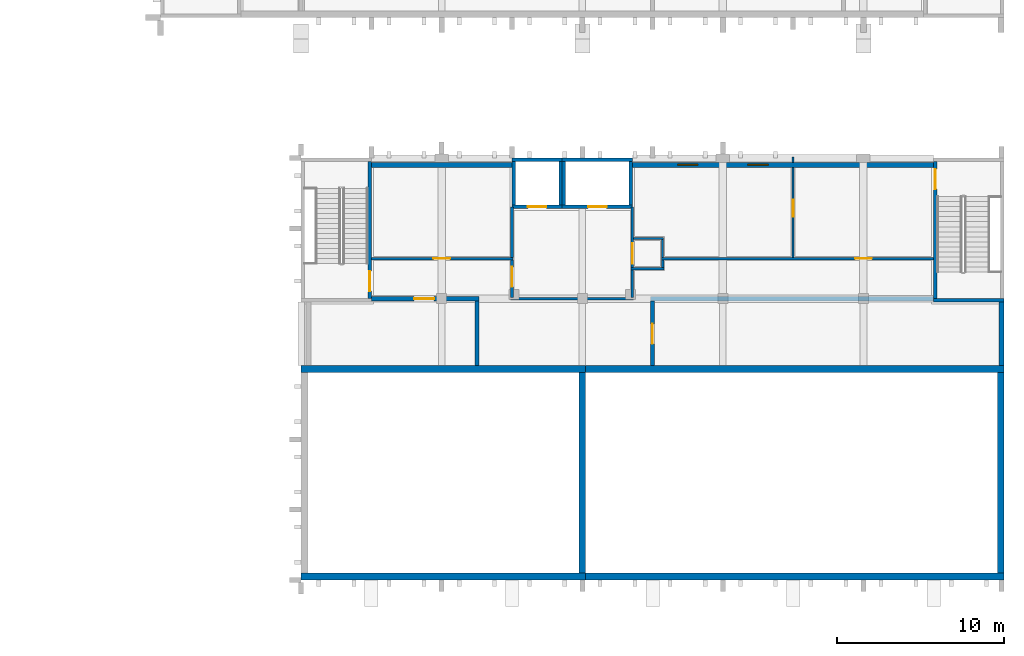
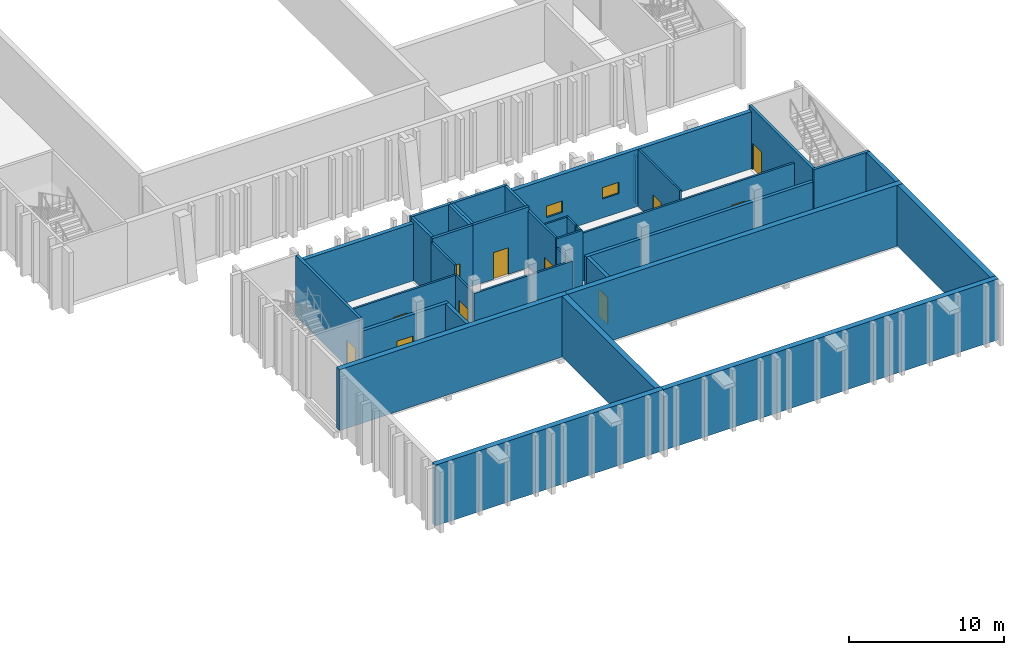
# One storey, part 39 of 91: 37 walls, 11 doors, 2 windows, 13 openings.
"""IFC4 building model written with IfcOpenShell, lengths in metres."""

from ifc_helpers import new_model, si_unit, direction, frame, frame_2d, origin, place, context, subcontext, project, spatial, rectangle, extrude, material, layer, layer_set, type_object, element, fill, save


model = new_model("IFC4")

# Units and contexts
model_context = context("Model", 3, precision=1e-05, world=origin(), true_north=direction((0.0, 1.0)))
body_context = subcontext(model_context, "Body", "Model", "MODEL_VIEW")
ifc_project = project(units=[si_unit("LENGTHUNIT", "METRE"), si_unit("AREAUNIT", "SQUARE_METRE"), si_unit("VOLUMEUNIT", "CUBIC_METRE"), si_unit("PLANEANGLEUNIT", "RADIAN"), si_unit("MASSUNIT", "GRAM", prefix="KILO")], contexts=[model_context])

# Site, building, storey
site_placement = place(None, origin())
site = spatial("IfcSite", under=ifc_project, at=site_placement, CompositionType="ELEMENT")
building_placement = place(site_placement, origin())
building = spatial("IfcBuilding", under=site, at=building_placement, Name="Kiln Court Media Centre", CompositionType="ELEMENT")
storey_placement = place(building_placement, frame((0.0, 0.0, 5.39990234375)))
storey = spatial("IfcBuildingStorey", under=building, at=storey_placement, Name="L01", CompositionType="ELEMENT", Elevation=5.39990234375)

# Wall
ifc_material_1 = material(Name="Concrete block masonry M7.5", Category="masonry")
ifc_layer_1 = layer(ifc_material_1, 0.14990234375)
ifc_layer_set_1 = layer_set([ifc_layer_1], Name="Block lobby wall 150 EI 120")
wall_type_1 = type_object("IfcWallType", Name="Block lobby wall 150 EI 120", PredefinedType="SOLIDWALL", material=ifc_layer_set_1)
wall_1_placement = place(storey_placement, frame((138.52490234375, 16.800048828125, 0.0), z_axis=(0.0, 0.0, 1.0), x_axis=(1.0, 0.0, 0.0)))
element("IfcWall", 1, at=wall_1_placement, inside=storey, type_object=wall_type_1, Name="L01 block lobby wall", PredefinedType="SOLIDWALL", context=body_context, shape_type="SweptSolid", body=[
    extrude(rectangle(XDim=7.35009765625, YDim=0.14990234375, at=frame_2d((3.675048828125, 0.0))), origin(), (0.0, 0.0, 1.0), 3.800048828125),
])

# Wall, opening, door
wall_2_placement = place(storey_placement, frame((138.60009765625, 16.875, 0.0), z_axis=(0.0, 0.0, 1.0), x_axis=(0.0, 1.0, 0.0)))
wall_2 = element("IfcWall", 2, at=wall_2_placement, inside=storey, type_object=wall_type_1, Name="L01 block lobby wall", PredefinedType="SOLIDWALL", context=body_context, shape_type="SweptSolid", body=[
    extrude(rectangle(XDim=2.25, YDim=0.14990234375, at=frame_2d((1.125, 0.0))), origin(), (0.0, 0.0, 1.0), 3.800048828125),
])
opening_1_placement = place(wall_2_placement, frame((0.625, 0.0, 0.0)))
opening_1 = element("IfcOpeningElement", 3, at=opening_1_placement, cuts=wall_2, Name="Opening D1034", PredefinedType="OPENING", context=body_context, shape_type="SweptSolid", body=[
    extrude(rectangle(XDim=1.199951171875, YDim=2.10009765625, at=frame_2d((0.60009765625, 1.050048828125))), frame((0.0, 0.0849609375, 0.0), z_axis=(0.0, -1.0, 0.0), x_axis=(1.0, 0.0, 0.0)), (0.0, 0.0, 1.0), 0.169921875),
])
ifc_material_2 = material(Name="Steel S275", Category="steel")
door_type_1 = type_object("IfcDoorType", Name="Steel lobby door 1200 x 2100 FD120", OperationType="SINGLE_SWING_LEFT", PredefinedType="DOOR", material=ifc_material_2)
door_1_placement = place(opening_1_placement, origin())
door_1 = element("IfcDoor", 4, at=door_1_placement, inside=storey, type_object=door_type_1, Name="Studio Corridor / Fire-fighting Lift Lobby", OperationType="SINGLE_SWING_RIGHT", OverallHeight=2.10009765625, OverallWidth=1.199951171875, PredefinedType="DOOR", context=body_context, shape_type="SweptSolid", body=[
    extrude(rectangle(XDim=1.199951171875, YDim=2.10009765625, at=frame_2d((0.60009765625, 1.050048828125))), frame((0.0, 0.02490234375, 0.0), z_axis=(0.0, -1.0, 0.0), x_axis=(1.0, 0.0, 0.0)), (0.0, 0.0, 1.0), 0.050048828125),
])
fill(opening_1, door_1)

# Walls
wall_3_placement = place(storey_placement, frame((138.60009765625, 19.27490234375, 0.0), z_axis=(0.0, 0.0, 1.0), x_axis=(0.0, 1.0, 0.0)))
element("IfcWall", 5, at=wall_3_placement, inside=storey, type_object=wall_type_1, Name="L01 block lobby wall", PredefinedType="SOLIDWALL", context=body_context, shape_type="SweptSolid", body=[
    extrude(rectangle(XDim=3.0, YDim=0.14990234375, at=frame_2d((1.5, 0.0))), origin(), (0.0, 0.0, 1.0), 4.5),
])
wall_4_placement = place(storey_placement, frame((145.800048828125, 16.875, 0.0), z_axis=(0.0, 0.0, 1.0), x_axis=(0.0, 1.0, 0.0)))
element("IfcWall", 6, at=wall_4_placement, inside=storey, type_object=wall_type_1, Name="L01 block lobby wall", PredefinedType="SOLIDWALL", context=body_context, shape_type="SweptSolid", body=[
    extrude(rectangle(XDim=1.64990234375, YDim=0.14990234375, at=frame_2d((0.824951171875, 0.0))), origin(), (0.0, 0.0, 1.0), 3.800048828125),
])

# Wall, opening, door
wall_5_placement = place(storey_placement, frame((145.800048828125, 18.675048828125, 0.0), z_axis=(0.0, 0.0, 1.0), x_axis=(0.0, 1.0, 0.0)))
wall_5 = element("IfcWall", 7, at=wall_5_placement, inside=storey, type_object=wall_type_1, Name="L01 block lobby wall", PredefinedType="SOLIDWALL", context=body_context, shape_type="SweptSolid", body=[
    extrude(rectangle(XDim=3.599853515625, YDim=0.14990234375, at=frame_2d((1.7998046875, 0.0))), origin(), (0.0, 0.0, 1.0), 4.5),
])
opening_2_placement = place(wall_5_placement, frame((0.22509765625, 0.0, 0.0)))
opening_2 = element("IfcOpeningElement", 8, at=opening_2_placement, cuts=wall_5, Name="Opening D1065", PredefinedType="OPENING", context=body_context, shape_type="SweptSolid", body=[
    extrude(rectangle(XDim=1.199951171875, YDim=2.10009765625, at=frame_2d((0.60009765625, 1.050048828125))), frame((0.0, 0.0849609375, 0.0), z_axis=(0.0, -1.0, 0.0), x_axis=(1.0, 0.0, 0.0)), (0.0, 0.0, 1.0), 0.169921875),
])
door_2_placement = place(opening_2_placement, origin())
door_2 = element("IfcDoor", 9, at=door_2_placement, inside=storey, type_object=door_type_1, Name="Fire-fighting Lift Lobby / Wheelchair Refuge", OperationType="SINGLE_SWING_RIGHT", OverallHeight=2.10009765625, OverallWidth=1.199951171875, PredefinedType="DOOR", context=body_context, shape_type="SweptSolid", body=[
    extrude(rectangle(XDim=1.199951171875, YDim=2.10009765625, at=frame_2d((0.60009765625, 1.050048828125))), frame((0.0, 0.02490234375, 0.0), z_axis=(0.0, -1.0, 0.0), x_axis=(1.0, 0.0, 0.0)), (0.0, 0.0, 1.0), 0.050048828125),
])
fill(opening_2, door_2)

# Wall
ifc_material_3 = material(Name="Concrete C40/50", Category="concrete")
ifc_layer_2 = layer(ifc_material_3, 0.300048828125)
ifc_layer_set_2 = layer_set([ifc_layer_2], Name="Concrete C40/50 board-marked facade wall 300")
wall_type_2 = type_object("IfcWallType", Name="Concrete C40/50 board-marked facade wall 300", PredefinedType="SOLIDWALL", material=ifc_layer_set_2)
wall_6_placement = place(storey_placement, frame((130.199951171875, 24.800048828125, 0.0), z_axis=(0.0, 0.0, 1.0), x_axis=(1.0, 0.0, 0.0)))
element("IfcWall", 10, at=wall_6_placement, inside=storey, type_object=wall_type_2, Name="V5 N facade wall 4009", PredefinedType="SOLIDWALL", context=body_context, shape_type="SweptSolid", body=[
    extrude(rectangle(XDim=8.400146484375, YDim=0.300048828125, at=frame_2d((4.2001953125, 0.0))), origin(), (0.0, 0.0, 1.0), 4.5),
])

# Wall, openings, windows
wall_7_placement = place(storey_placement, frame((145.800048828125, 24.800048828125, 0.0), z_axis=(0.0, 0.0, 1.0), x_axis=(1.0, 0.0, 0.0)))
wall_7 = element("IfcWall", 11, at=wall_7_placement, inside=storey, type_object=wall_type_2, Name="V5 N facade wall 4010", PredefinedType="SOLIDWALL", context=body_context, shape_type="SweptSolid", body=[
    extrude(rectangle(XDim=18.0, YDim=0.300048828125, at=frame_2d((9.0, 0.0))), origin(), (0.0, 0.0, 1.0), 4.5),
])
opening_3_placement = place(wall_7_placement, frame((2.699951171875, 0.0, 1.5)))
opening_3 = element("IfcOpeningElement", 12, at=opening_3_placement, cuts=wall_7, Name="Opening WN1508", PredefinedType="OPENING", context=body_context, shape_type="SweptSolid", body=[
    extrude(rectangle(XDim=1.199951171875, YDim=0.89990234375, at=frame_2d((0.60009765625, 0.449951171875))), frame((0.0, 0.159912109375, 0.0), z_axis=(0.0, -1.0, 0.0), x_axis=(1.0, 0.0, 0.0)), (0.0, 0.0, 1.0), 0.320068359375),
])
opening_4_placement = place(wall_7_placement, frame((6.89990234375, 0.0, 1.5)))
opening_4 = element("IfcOpeningElement", 13, at=opening_4_placement, cuts=wall_7, Name="Opening WN1509", PredefinedType="OPENING", context=body_context, shape_type="SweptSolid", body=[
    extrude(rectangle(XDim=1.199951171875, YDim=0.89990234375, at=frame_2d((0.60009765625, 0.449951171875))), frame((0.0, 0.159912109375, 0.0), z_axis=(0.0, -1.0, 0.0), x_axis=(1.0, 0.0, 0.0)), (0.0, 0.0, 1.0), 0.320068359375),
])
ifc_material_4 = material(Name="Aluminium 6063-T6", Category="aluminium")
window_type = type_object("IfcWindowType", Name="Aluminium control room window 1200x900", PartitioningType="SINGLE_PANEL", PredefinedType="WINDOW", material=ifc_material_4)
window_1_placement = place(opening_3_placement, origin())
window_1 = element("IfcWindow", 14, at=window_1_placement, inside=storey, type_object=window_type, Name="V5 N wc window", OverallHeight=0.89990234375, OverallWidth=1.199951171875, PartitioningType="SINGLE_PANEL", PredefinedType="WINDOW", context=body_context, shape_type="SweptSolid", body=[
    extrude(rectangle(XDim=1.199951171875, YDim=0.89990234375, at=frame_2d((0.60009765625, 0.449951171875))), frame((0.0, 0.030029296875, 0.0), z_axis=(0.0, -1.0, 0.0), x_axis=(1.0, 0.0, 0.0)), (0.0, 0.0, 1.0), 0.06005859375),
])
fill(opening_3, window_1)
window_2_placement = place(opening_4_placement, origin())
window_2 = element("IfcWindow", 15, at=window_2_placement, inside=storey, type_object=window_type, Name="V5 N wc window", OverallHeight=0.89990234375, OverallWidth=1.199951171875, PartitioningType="SINGLE_PANEL", PredefinedType="WINDOW", context=body_context, shape_type="SweptSolid", body=[
    extrude(rectangle(XDim=1.199951171875, YDim=0.89990234375, at=frame_2d((0.60009765625, 0.449951171875))), frame((0.0, 0.030029296875, 0.0), z_axis=(0.0, -1.0, 0.0), x_axis=(1.0, 0.0, 0.0)), (0.0, 0.0, 1.0), 0.06005859375),
])
fill(opening_4, window_2)

# Wall
ifc_material_5 = material(Name="Concrete C40/50", Category="concrete")
ifc_layer_3 = layer(ifc_material_5, 0.300048828125)
ifc_layer_set_3 = layer_set([ifc_layer_3], Name="Concrete C40/50 party wall 300")
wall_type_3 = type_object("IfcWallType", Name="Concrete C40/50 party wall 300", PredefinedType="SOLIDWALL", material=ifc_layer_set_3)
wall_8_placement = place(storey_placement, frame((167.849609375, 16.60009765625, 0.0), z_axis=(0.0, 0.0, 1.0), x_axis=(0.0, -1.0, 0.0)))
element("IfcWall", 16, at=wall_8_placement, inside=storey, type_object=wall_type_3, Name="L01-W-1140", PredefinedType="SOLIDWALL", context=body_context, shape_type="SweptSolid", body=[
    extrude(rectangle(XDim=3.800048828125, YDim=0.300048828125, at=frame_2d((1.89990234375, 0.0))), origin(), (0.0, 0.0, 1.0), 4.800048828125),
])

# Wall, opening, door
ifc_material_6 = material(Name="Concrete C40/50", Category="concrete")
ifc_layer_4 = layer(ifc_material_6, 0.199951171875)
ifc_layer_set_4 = layer_set([ifc_layer_4], Name="Concrete C40/50 shear wall 200")
wall_type_4 = type_object("IfcWallType", Name="Concrete C40/50 shear wall 200", PredefinedType="SHEAR", material=ifc_layer_set_4)
wall_9_placement = place(storey_placement, frame((130.10009765625, 25.0, 0.0), z_axis=(0.0, 0.0, 1.0), x_axis=(0.0, -1.0, 0.0)))
wall_9 = element("IfcWall", 17, at=wall_9_placement, inside=storey, type_object=wall_type_4, Name="L01-W-1063", PredefinedType="SHEAR", context=body_context, shape_type="SweptSolid", body=[
    extrude(rectangle(XDim=8.199951171875, YDim=0.199951171875, at=frame_2d((4.10009765625, 0.0))), origin(), (0.0, 0.0, 1.0), 4.800048828125),
])
opening_5_placement = place(wall_9_placement, frame((6.550048828125, 0.0, 0.0)))
opening_5 = element("IfcOpeningElement", 18, at=opening_5_placement, cuts=wall_9, Name="Opening D1009", PredefinedType="OPENING", context=body_context, shape_type="SweptSolid", body=[
    extrude(rectangle(XDim=1.199951171875, YDim=2.10009765625, at=frame_2d((0.60009765625, 1.050048828125))), frame((0.0, 0.10986328125, 0.0), z_axis=(0.0, -1.0, 0.0), x_axis=(1.0, 0.0, 0.0)), (0.0, 0.0, 1.0), 0.219970703125),
])
ifc_material_7 = material(Name="Steel S275", Category="steel")
door_type_2 = type_object("IfcDoorType", Name="Steel stair door 1200 x 2100 FD180", OperationType="SINGLE_SWING_LEFT", PredefinedType="DOOR", material=ifc_material_7)
door_3_placement = place(opening_5_placement, origin())
door_3 = element("IfcDoor", 19, at=door_3_placement, inside=storey, type_object=door_type_2, Name="Stair 16 / Studio Corridor", OperationType="SINGLE_SWING_LEFT", OverallHeight=2.10009765625, OverallWidth=1.199951171875, PredefinedType="DOOR", context=body_context, shape_type="SweptSolid", body=[
    extrude(rectangle(XDim=1.199951171875, YDim=2.10009765625, at=frame_2d((0.60009765625, 1.050048828125))), frame((0.0, 0.02490234375, 0.0), z_axis=(0.0, -1.0, 0.0), x_axis=(1.0, 0.0, 0.0)), (0.0, 0.0, 1.0), 0.050048828125),
])
fill(opening_5, door_3)

# Wall
wall_10_placement = place(storey_placement, frame((167.99951171875, 16.699951171875, 0.0), z_axis=(0.0, 0.0, 1.0), x_axis=(-1.0, 0.0, 0.0)))
element("IfcWall", 20, at=wall_10_placement, inside=storey, type_object=wall_type_4, Name="L01-W-1064", PredefinedType="SHEAR", context=body_context, shape_type="SweptSolid", body=[
    extrude(rectangle(XDim=4.199462890625, YDim=0.199951171875, at=frame_2d((2.099609375, 0.0))), origin(), (0.0, 0.0, 1.0), 4.800048828125),
])

# Wall, opening, door
wall_11_placement = place(storey_placement, frame((163.89990234375, 16.800048828125, 0.0), z_axis=(0.0, 0.0, 1.0), x_axis=(0.0, 1.0, 0.0)))
wall_11 = element("IfcWall", 21, at=wall_11_placement, inside=storey, type_object=wall_type_4, Name="L01-W-1066", PredefinedType="SHEAR", context=body_context, shape_type="SweptSolid", body=[
    extrude(rectangle(XDim=8.199951171875, YDim=0.199951171875, at=frame_2d((4.10009765625, 0.0))), origin(), (0.0, 0.0, 1.0), 4.800048828125),
])
opening_6_placement = place(wall_11_placement, frame((6.550048828125, 0.0, 0.0)))
opening_6 = element("IfcOpeningElement", 22, at=opening_6_placement, cuts=wall_11, Name="Opening D1010", PredefinedType="OPENING", context=body_context, shape_type="SweptSolid", body=[
    extrude(rectangle(XDim=1.199951171875, YDim=2.10009765625, at=frame_2d((0.60009765625, 1.050048828125))), frame((0.0, 0.10986328125, 0.0), z_axis=(0.0, -1.0, 0.0), x_axis=(1.0, 0.0, 0.0)), (0.0, 0.0, 1.0), 0.219970703125),
])
door_4_placement = place(opening_6_placement, origin())
door_4 = element("IfcDoor", 23, at=door_4_placement, inside=storey, type_object=door_type_2, Name="Stair 17 / Audio Post Suite 3", OperationType="SINGLE_SWING_RIGHT", OverallHeight=2.10009765625, OverallWidth=1.199951171875, PredefinedType="DOOR", context=body_context, shape_type="SweptSolid", body=[
    extrude(rectangle(XDim=1.199951171875, YDim=2.10009765625, at=frame_2d((0.60009765625, 1.050048828125))), frame((0.0, 0.02490234375, 0.0), z_axis=(0.0, -1.0, 0.0), x_axis=(1.0, 0.0, 0.0)), (0.0, 0.0, 1.0), 0.050048828125),
])
fill(opening_6, door_4)

wall_12_placement = place(storey_placement, frame((141.60009765625, 22.300048828125, 0.0), z_axis=(0.0, 0.0, 1.0), x_axis=(-1.0, 0.0, 0.0)))
wall_12 = element("IfcWall", 24, at=wall_12_placement, inside=storey, type_object=wall_type_4, Name="L01-W-1098", PredefinedType="SHEAR", context=body_context, shape_type="SweptSolid", body=[
    extrude(rectangle(XDim=3.0, YDim=0.199951171875, at=frame_2d((1.5, 0.0))), origin(), (0.0, 0.0, 1.0), 4.800048828125),
])
opening_7_placement = place(wall_12_placement, frame((0.9501953125, 0.0, 0.0)))
opening_7 = element("IfcOpeningElement", 25, at=opening_7_placement, cuts=wall_12, Name="Opening LD111", PredefinedType="OPENING", context=body_context, shape_type="SweptSolid", body=[
    extrude(rectangle(XDim=1.10009765625, YDim=2.10009765625, at=frame_2d((0.550048828125, 1.050048828125))), frame((0.0, 0.10986328125, 0.0), z_axis=(0.0, -1.0, 0.0), x_axis=(1.0, 0.0, 0.0)), (0.0, 0.0, 1.0), 0.219970703125),
])
ifc_material_8 = material(Name="Stainless steel", Category="steel")
door_type_3 = type_object("IfcDoorType", Name="Firefighting lift landing door 1100 x 2100 FD120", OperationType="SLIDING_TO_LEFT", PredefinedType="DOOR", material=ifc_material_8)
door_5_placement = place(opening_7_placement, origin())
door_5 = element("IfcDoor", 26, at=door_5_placement, inside=storey, type_object=door_type_3, Name="LF-11 landing door L01", OperationType="SLIDING_TO_LEFT", OverallHeight=2.10009765625, OverallWidth=1.10009765625, PredefinedType="DOOR", context=body_context, shape_type="SweptSolid", body=[
    extrude(rectangle(XDim=1.10009765625, YDim=2.10009765625, at=frame_2d((0.550048828125, 1.050048828125))), frame((0.0, 0.02490234375, 0.0), z_axis=(0.0, -1.0, 0.0), x_axis=(1.0, 0.0, 0.0)), (0.0, 0.0, 1.0), 0.050048828125),
])
fill(opening_7, door_5)

# Walls
wall_13_placement = place(storey_placement, frame((138.60009765625, 25.10009765625, 0.0), z_axis=(0.0, 0.0, 1.0), x_axis=(1.0, 0.0, 0.0)))
element("IfcWall", 27, at=wall_13_placement, inside=storey, type_object=wall_type_4, Name="L01-W-1099", PredefinedType="SHEAR", context=body_context, shape_type="SweptSolid", body=[
    extrude(rectangle(XDim=3.0, YDim=0.199951171875, at=frame_2d((1.5, 0.0))), origin(), (0.0, 0.0, 1.0), 4.800048828125),
])
for number, where, z_axis, x_axis, name in (
    (28, (138.699951171875, 22.39990234375, 0.0), (0.0, 0.0, 1.0), (0.0, 1.0, 0.0), "L01-W-1100"),
    (29, (141.5, 25.0, 0.0), (0.0, 0.0, 1.0), (0.0, -1.0, 0.0), "L01-W-1101"),
):
    element("IfcWall", number, at=place(storey_placement, frame(where, z_axis=z_axis, x_axis=x_axis)), inside=storey, type_object=wall_type_4, Name=name, PredefinedType="SHEAR", context=body_context, shape_type="SweptSolid", body=[
        extrude(rectangle(XDim=2.60009765625, YDim=0.199951171875, at=frame_2d((1.300048828125, 0.0))), origin(), (0.0, 0.0, 1.0), 4.800048828125),
    ])

# Wall, opening, door
wall_14_placement = place(storey_placement, frame((145.800048828125, 22.300048828125, 0.0), z_axis=(0.0, 0.0, 1.0), x_axis=(-1.0, 0.0, 0.0)))
wall_14 = element("IfcWall", 30, at=wall_14_placement, inside=storey, type_object=wall_type_4, Name="L01-W-1102", PredefinedType="SHEAR", context=body_context, shape_type="SweptSolid", body=[
    extrude(rectangle(XDim=4.199951171875, YDim=0.199951171875, at=frame_2d((2.10009765625, 0.0))), origin(), (0.0, 0.0, 1.0), 4.800048828125),
])
opening_8_placement = place(wall_14_placement, frame((1.550048828125, 0.0, 0.0)))
opening_8 = element("IfcOpeningElement", 31, at=opening_8_placement, cuts=wall_14, Name="Opening LD112", PredefinedType="OPENING", context=body_context, shape_type="SweptSolid", body=[
    extrude(rectangle(XDim=1.10009765625, YDim=2.10009765625, at=frame_2d((0.550048828125, 1.050048828125))), frame((0.0, 0.10986328125, 0.0), z_axis=(0.0, -1.0, 0.0), x_axis=(1.0, 0.0, 0.0)), (0.0, 0.0, 1.0), 0.219970703125),
])
ifc_material_9 = material(Name="Stainless steel", Category="steel")
door_type_4 = type_object("IfcDoorType", Name="Lift landing door 1100 x 2100 FD120", OperationType="SLIDING_TO_LEFT", PredefinedType="DOOR", material=ifc_material_9)
door_6_placement = place(opening_8_placement, origin())
door_6 = element("IfcDoor", 32, at=door_6_placement, inside=storey, type_object=door_type_4, Name="LF-12 landing door L01", OperationType="SLIDING_TO_LEFT", OverallHeight=2.10009765625, OverallWidth=1.10009765625, PredefinedType="DOOR", context=body_context, shape_type="SweptSolid", body=[
    extrude(rectangle(XDim=1.10009765625, YDim=2.10009765625, at=frame_2d((0.550048828125, 1.050048828125))), frame((0.0, 0.02490234375, 0.0), z_axis=(0.0, -1.0, 0.0), x_axis=(1.0, 0.0, 0.0)), (0.0, 0.0, 1.0), 0.050048828125),
])
fill(opening_8, door_6)

# Walls
wall_15_placement = place(storey_placement, frame((141.60009765625, 25.10009765625, 0.0), z_axis=(0.0, 0.0, 1.0), x_axis=(1.0, 0.0, 0.0)))
element("IfcWall", 33, at=wall_15_placement, inside=storey, type_object=wall_type_4, Name="L01-W-1103", PredefinedType="SHEAR", context=body_context, shape_type="SweptSolid", body=[
    extrude(rectangle(XDim=4.199951171875, YDim=0.199951171875, at=frame_2d((2.10009765625, 0.0))), origin(), (0.0, 0.0, 1.0), 4.800048828125),
])
for number, where, z_axis, x_axis, name in (
    (34, (141.699951171875, 22.39990234375, 0.0), (0.0, 0.0, 1.0), (0.0, 1.0, 0.0), "L01-W-1104"),
    (35, (145.699951171875, 25.0, 0.0), (0.0, 0.0, 1.0), (0.0, -1.0, 0.0), "L01-W-1105"),
):
    element("IfcWall", number, at=place(storey_placement, frame(where, z_axis=z_axis, x_axis=x_axis)), inside=storey, type_object=wall_type_4, Name=name, PredefinedType="SHEAR", context=body_context, shape_type="SweptSolid", body=[
        extrude(rectangle(XDim=2.60009765625, YDim=0.199951171875, at=frame_2d((1.300048828125, 0.0))), origin(), (0.0, 0.0, 1.0), 4.800048828125),
    ])
ifc_material_10 = material(Name="Concrete C40/50", Category="concrete")
ifc_layer_5 = layer(ifc_material_10, 0.39990234375)
ifc_layer_set_5 = layer_set([ifc_layer_5], Name="Concrete C40/50 studio wall 400")
wall_type_5 = type_object("IfcWallType", Name="Concrete C40/50 studio wall 400", PredefinedType="SHEAR", material=ifc_layer_set_5)
for number, where, z_axis, x_axis, name in (
    (36, (143.0, 0.199951171875, 0.0), (0.0, 0.0, 1.0), (-1.0, 0.0, 0.0), "L01-W-1132"),
    (37, (126.0, 12.60009765625, 0.0), (0.0, 0.0, 1.0), (1.0, 0.0, 0.0), "L01-W-1133"),
):
    element("IfcWall", number, at=place(storey_placement, frame(where, z_axis=z_axis, x_axis=x_axis)), inside=storey, type_object=wall_type_5, Name=name, PredefinedType="SHEAR", context=body_context, shape_type="SweptSolid", body=[
        extrude(rectangle(XDim=17.0, YDim=0.39990234375, at=frame_2d((8.5, 0.0))), origin(), (0.0, 0.0, 1.0), 4.800048828125),
    ])
wall_16_placement = place(storey_placement, frame((142.800048828125, 12.39990234375, 0.0), z_axis=(0.0, 0.0, 1.0), x_axis=(0.0, -1.0, 0.0)))
element("IfcWall", 38, at=wall_16_placement, inside=storey, type_object=wall_type_5, Name="L01-W-1135", PredefinedType="SHEAR", context=body_context, shape_type="SweptSolid", body=[
    extrude(rectangle(XDim=12.0, YDim=0.39990234375, at=frame_2d((6.0, 0.0))), origin(), (0.0, 0.0, 1.0), 4.800048828125),
])
for number, where, z_axis, x_axis, name in (
    (39, (167.99951171875, 0.199951171875, 0.0), (0.0, 0.0, 1.0), (-1.0, 0.0, 0.0), "L01-W-1136"),
    (40, (143.0, 12.60009765625, 0.0), (0.0, 0.0, 1.0), (1.0, 0.0, 0.0), "L01-W-1137"),
):
    element("IfcWall", number, at=place(storey_placement, frame(where, z_axis=z_axis, x_axis=x_axis)), inside=storey, type_object=wall_type_5, Name=name, PredefinedType="SHEAR", context=body_context, shape_type="SweptSolid", body=[
        extrude(rectangle(XDim=24.99951171875, YDim=0.39990234375, at=frame_2d((12.499755859375, 0.0))), origin(), (0.0, 0.0, 1.0), 4.800048828125),
    ])
wall_17_placement = place(storey_placement, frame((167.799560546875, 12.39990234375, 0.0), z_axis=(0.0, 0.0, 1.0), x_axis=(0.0, -1.0, 0.0)))
element("IfcWall", 41, at=wall_17_placement, inside=storey, type_object=wall_type_5, Name="L01-W-1138", PredefinedType="SHEAR", context=body_context, shape_type="SweptSolid", body=[
    extrude(rectangle(XDim=12.0, YDim=0.39990234375, at=frame_2d((6.0, 0.0))), origin(), (0.0, 0.0, 1.0), 4.800048828125),
])

# Wall, opening, door
ifc_material_11 = material(Name="Gypsum plasterboard", Category="gypsum")
ifc_layer_6 = layer(ifc_material_11, 0.25)
ifc_layer_set_6 = layer_set([ifc_layer_6], Name="Double-leaf acoustic wall 250 EI 120")
wall_type_6 = type_object("IfcWallType", Name="Double-leaf acoustic wall 250 EI 120", PredefinedType="PARTITIONING", material=ifc_layer_set_6)
wall_18_placement = place(storey_placement, frame((130.199951171875, 16.800048828125, 0.0), z_axis=(0.0, 0.0, 1.0), x_axis=(1.0, 0.0, 0.0)))
wall_18 = element("IfcWall", 42, at=wall_18_placement, inside=storey, type_object=wall_type_6, Name="L01 double-leaf acoustic wall", PredefinedType="PARTITIONING", context=body_context, shape_type="SweptSolid", body=[
    extrude(rectangle(XDim=6.425048828125, YDim=0.25, at=frame_2d((3.21240234375, 0.0))), origin(), (0.0, 0.0, 1.0), 3.800048828125),
])
opening_9_placement = place(wall_18_placement, frame((2.550048828125, 0.0, 0.0)))
opening_9 = element("IfcOpeningElement", 43, at=opening_9_placement, cuts=wall_18, Name="Opening D1033", PredefinedType="OPENING", context=body_context, shape_type="SweptSolid", body=[
    extrude(rectangle(XDim=1.199951171875, YDim=2.10009765625, at=frame_2d((0.60009765625, 1.050048828125))), frame((0.0, 0.135009765625, 0.0), z_axis=(0.0, -1.0, 0.0), x_axis=(1.0, 0.0, 0.0)), (0.0, 0.0, 1.0), 0.27001953125),
])
ifc_material_12 = material(Name="Steel S275", Category="steel")
door_type_5 = type_object("IfcDoorType", Name="Acoustic studio door 1200 x 2100 FD180", OperationType="SINGLE_SWING_LEFT", PredefinedType="DOOR", material=ifc_material_12)
door_7_placement = place(opening_9_placement, origin())
door_7 = element("IfcDoor", 44, at=door_7_placement, inside=storey, type_object=door_type_5, Name="Control Room 1 Gallery / Studio Corridor", OperationType="SINGLE_SWING_RIGHT", OverallHeight=2.10009765625, OverallWidth=1.199951171875, PredefinedType="DOOR", context=body_context, shape_type="SweptSolid", body=[
    extrude(rectangle(XDim=1.199951171875, YDim=2.10009765625, at=frame_2d((0.60009765625, 1.050048828125))), frame((0.0, 0.02490234375, 0.0), z_axis=(0.0, -1.0, 0.0), x_axis=(1.0, 0.0, 0.0)), (0.0, 0.0, 1.0), 0.050048828125),
])
fill(opening_9, door_7)

# Walls
wall_19_placement = place(storey_placement, frame((146.875, 16.800048828125, 0.0), z_axis=(0.0, 0.0, 1.0), x_axis=(1.0, 0.0, 0.0)))
element("IfcWall", 45, at=wall_19_placement, inside=storey, type_object=wall_type_6, Name="L01 double-leaf acoustic wall", PredefinedType="PARTITIONING", context=body_context, shape_type="SweptSolid", body=[
    extrude(rectangle(XDim=16.925048828125, YDim=0.25, at=frame_2d((8.46240234375, 0.0))), origin(), (0.0, 0.0, 1.0), 3.800048828125),
])
wall_20_placement = place(storey_placement, frame((136.5, 12.800048828125, 0.0), z_axis=(0.0, 0.0, 1.0), x_axis=(0.0, 1.0, 0.0)))
element("IfcWall", 46, at=wall_20_placement, inside=storey, type_object=wall_type_6, Name="L01 double-leaf acoustic wall", PredefinedType="PARTITIONING", context=body_context, shape_type="SweptSolid", body=[
    extrude(rectangle(XDim=3.875, YDim=0.25, at=frame_2d((1.9375, 0.0))), origin(), (0.0, 0.0, 1.0), 3.800048828125),
])

# Wall, opening, door
wall_21_placement = place(storey_placement, frame((147.0, 12.800048828125, 0.0), z_axis=(0.0, 0.0, 1.0), x_axis=(0.0, 1.0, 0.0)))
wall_21 = element("IfcWall", 47, at=wall_21_placement, inside=storey, type_object=wall_type_6, Name="L01 double-leaf acoustic wall", PredefinedType="PARTITIONING", context=body_context, shape_type="SweptSolid", body=[
    extrude(rectangle(XDim=3.875, YDim=0.25, at=frame_2d((1.9375, 0.0))), origin(), (0.0, 0.0, 1.0), 3.800048828125),
])
opening_10_placement = place(wall_21_placement, frame((1.2998046875, 0.0, 0.0)))
opening_10 = element("IfcOpeningElement", 48, at=opening_10_placement, cuts=wall_21, Name="Opening D1064", PredefinedType="OPENING", context=body_context, shape_type="SweptSolid", body=[
    extrude(rectangle(XDim=1.199951171875, YDim=2.10009765625, at=frame_2d((0.60009765625, 1.050048828125))), frame((0.0, 0.135009765625, 0.0), z_axis=(0.0, -1.0, 0.0), x_axis=(1.0, 0.0, 0.0)), (0.0, 0.0, 1.0), 0.27001953125),
])
door_8_placement = place(opening_10_placement, origin())
door_8 = element("IfcDoor", 49, at=door_8_placement, inside=storey, type_object=door_type_5, Name="Sound Lock Corridor / Control Room 2 Gallery", OperationType="SINGLE_SWING_LEFT", OverallHeight=2.10009765625, OverallWidth=1.199951171875, PredefinedType="DOOR", context=body_context, shape_type="SweptSolid", body=[
    extrude(rectangle(XDim=1.199951171875, YDim=2.10009765625, at=frame_2d((0.60009765625, 1.050048828125))), frame((0.0, 0.02490234375, 0.0), z_axis=(0.0, -1.0, 0.0), x_axis=(1.0, 0.0, 0.0)), (0.0, 0.0, 1.0), 0.050048828125),
])
fill(opening_10, door_8)

# Wall
ifc_material_13 = material(Name="Gypsum plasterboard", Category="gypsum")
ifc_layer_7 = layer(ifc_material_13, 0.14990234375)
ifc_layer_set_7 = layer_set([ifc_layer_7], Name="Gypsum corridor partition 150 EI 60")
wall_type_7 = type_object("IfcWallType", Name="Gypsum corridor partition 150 EI 60", PredefinedType="PARTITIONING", material=ifc_layer_set_7)
wall_22_placement = place(storey_placement, frame((145.72509765625, 18.60009765625, 0.0), z_axis=(0.0, 0.0, 1.0), x_axis=(1.0, 0.0, 0.0)))
element("IfcWall", 50, at=wall_22_placement, inside=storey, type_object=wall_type_7, Name="L01 gypsum corridor partition", PredefinedType="PARTITIONING", context=body_context, shape_type="SweptSolid", body=[
    extrude(rectangle(XDim=1.949951171875, YDim=0.14990234375, at=frame_2d((0.97509765625, 0.0))), origin(), (0.0, 0.0, 1.0), 4.5),
])

# Wall, opening, door
wall_23_placement = place(storey_placement, frame((130.2001953125, 19.199951171875, 0.0), z_axis=(0.0, 0.0, 1.0), x_axis=(1.0, 0.0, 0.0)))
wall_23 = element("IfcWall", 51, at=wall_23_placement, inside=storey, type_object=wall_type_7, Name="L01 gypsum corridor partition", PredefinedType="PARTITIONING", context=body_context, shape_type="SweptSolid", body=[
    extrude(rectangle(XDim=8.474853515625, YDim=0.14990234375, at=frame_2d((4.2373046875, 0.0))), origin(), (0.0, 0.0, 1.0), 3.800048828125),
])
opening_11_placement = place(wall_23_placement, frame((3.699951171875, 0.0, 0.0)))
opening_11 = element("IfcOpeningElement", 52, at=opening_11_placement, cuts=wall_23, Name="Opening D1035", PredefinedType="OPENING", context=body_context, shape_type="SweptSolid", body=[
    extrude(rectangle(XDim=1.0, YDim=2.10009765625, at=frame_2d((0.5, 1.050048828125))), frame((0.0, 0.0849609375, 0.0), z_axis=(0.0, -1.0, 0.0), x_axis=(1.0, 0.0, 0.0)), (0.0, 0.0, 1.0), 0.169921875),
])
ifc_material_14 = material(Name="Steel S275", Category="steel")
door_type_6 = type_object("IfcDoorType", Name="Steel corridor door 1000 x 2100 FD30S", OperationType="SINGLE_SWING_LEFT", PredefinedType="DOOR", material=ifc_material_14)
door_9_placement = place(opening_11_placement, origin())
door_9 = element("IfcDoor", 53, at=door_9_placement, inside=storey, type_object=door_type_6, Name="Studio Corridor / Audio Post Suite 1", OperationType="SINGLE_SWING_LEFT", OverallHeight=2.10009765625, OverallWidth=1.0, PredefinedType="DOOR", context=body_context, shape_type="SweptSolid", body=[
    extrude(rectangle(XDim=1.0, YDim=2.10009765625, at=frame_2d((0.5, 1.050048828125))), frame((0.0, 0.02490234375, 0.0), z_axis=(0.0, -1.0, 0.0), x_axis=(1.0, 0.0, 0.0)), (0.0, 0.0, 1.0), 0.050048828125),
])
fill(opening_11, door_9)

wall_24_placement = place(storey_placement, frame((147.52490234375, 19.199951171875, 0.0), z_axis=(0.0, 0.0, 1.0), x_axis=(1.0, 0.0, 0.0)))
wall_24 = element("IfcWall", 54, at=wall_24_placement, inside=storey, type_object=wall_type_7, Name="L01 gypsum corridor partition", PredefinedType="PARTITIONING", context=body_context, shape_type="SweptSolid", body=[
    extrude(rectangle(XDim=16.27490234375, YDim=0.14990234375, at=frame_2d((8.137451171875, 0.0))), origin(), (0.0, 0.0, 1.0), 3.800048828125),
])
opening_12_placement = place(wall_24_placement, frame((11.574951171875, 0.0, 0.0)))
opening_12 = element("IfcOpeningElement", 55, at=opening_12_placement, cuts=wall_24, Name="Opening D1036", PredefinedType="OPENING", context=body_context, shape_type="SweptSolid", body=[
    extrude(rectangle(XDim=1.0, YDim=2.10009765625, at=frame_2d((0.5, 1.050048828125))), frame((0.0, 0.0849609375, 0.0), z_axis=(0.0, -1.0, 0.0), x_axis=(1.0, 0.0, 0.0)), (0.0, 0.0, 1.0), 0.169921875),
])
door_10_placement = place(opening_12_placement, origin())
door_10 = element("IfcDoor", 56, at=door_10_placement, inside=storey, type_object=door_type_6, Name="Studio Corridor / Audio Post Suite 3", OperationType="SINGLE_SWING_RIGHT", OverallHeight=2.10009765625, OverallWidth=1.0, PredefinedType="DOOR", context=body_context, shape_type="SweptSolid", body=[
    extrude(rectangle(XDim=1.0, YDim=2.10009765625, at=frame_2d((0.5, 1.050048828125))), frame((0.0, 0.02490234375, 0.0), z_axis=(0.0, -1.0, 0.0), x_axis=(1.0, 0.0, 0.0)), (0.0, 0.0, 1.0), 0.050048828125),
])
fill(opening_12, door_10)

# Walls
wall_25_placement = place(storey_placement, frame((147.60009765625, 18.675048828125, 0.0), z_axis=(0.0, 0.0, 1.0), x_axis=(0.0, 1.0, 0.0)))
element("IfcWall", 57, at=wall_25_placement, inside=storey, type_object=wall_type_7, Name="L01 gypsum corridor partition", PredefinedType="PARTITIONING", context=body_context, shape_type="SweptSolid", body=[
    extrude(rectangle(XDim=0.449951171875, YDim=0.14990234375, at=frame_2d((0.22509765625, 0.0))), origin(), (0.0, 0.0, 1.0), 4.5),
])
ifc_material_15 = material(Name="Gypsum plasterboard", Category="gypsum")
ifc_layer_8 = layer(ifc_material_15, 0.125)
ifc_layer_set_8 = layer_set([ifc_layer_8], Name="Gypsum wet-area partition 125")
wall_type_8 = type_object("IfcWallType", Name="Gypsum wet-area partition 125", PredefinedType="PARTITIONING", material=ifc_layer_set_8)
wall_26_placement = place(storey_placement, frame((145.875, 20.39990234375, 0.0), z_axis=(0.0, 0.0, 1.0), x_axis=(1.0, 0.0, 0.0)))
element("IfcWall", 58, at=wall_26_placement, inside=storey, type_object=wall_type_8, Name="L01 gypsum wet-area partition", PredefinedType="PARTITIONING", context=body_context, shape_type="SweptSolid", body=[
    extrude(rectangle(XDim=1.78759765625, YDim=0.125, at=frame_2d((0.893798828125, 0.0))), origin(), (0.0, 0.0, 1.0), 4.5),
])
wall_27_placement = place(storey_placement, frame((147.60009765625, 19.27490234375, 0.0), z_axis=(0.0, 0.0, 1.0), x_axis=(0.0, 1.0, 0.0)))
element("IfcWall", 59, at=wall_27_placement, inside=storey, type_object=wall_type_8, Name="L01 gypsum wet-area partition", PredefinedType="PARTITIONING", context=body_context, shape_type="SweptSolid", body=[
    extrude(rectangle(XDim=1.0625, YDim=0.125, at=frame_2d((0.53125, 0.0))), origin(), (0.0, 0.0, 1.0), 4.5),
])

# Wall, opening, door
wall_28_placement = place(storey_placement, frame((155.39990234375, 19.27490234375, 0.0), z_axis=(0.0, 0.0, 1.0), x_axis=(0.0, 1.0, 0.0)))
wall_28 = element("IfcWall", 60, at=wall_28_placement, inside=storey, type_object=wall_type_8, Name="L01 gypsum wet-area partition", PredefinedType="PARTITIONING", context=body_context, shape_type="SweptSolid", body=[
    extrude(rectangle(XDim=5.375, YDim=0.125, at=frame_2d((2.6875, 0.0))), origin(), (0.0, 0.0, 1.0), 4.5),
])
opening_13_placement = place(wall_28_placement, frame((2.425048828125, 0.0, 0.0)))
opening_13 = element("IfcOpeningElement", 61, at=opening_13_placement, cuts=wall_28, Name="Opening D1037", PredefinedType="OPENING", context=body_context, shape_type="SweptSolid", body=[
    extrude(rectangle(XDim=1.0, YDim=2.10009765625, at=frame_2d((0.5, 1.050048828125))), frame((0.0, 0.072509765625, 0.0), z_axis=(0.0, -1.0, 0.0), x_axis=(1.0, 0.0, 0.0)), (0.0, 0.0, 1.0), 0.14501953125),
])
ifc_material_16 = material(Name="Timber", Category="wood")
door_type_7 = type_object("IfcDoorType", Name="Timber door 1000 x 2100", OperationType="SINGLE_SWING_LEFT", PredefinedType="DOOR", material=ifc_material_16)
door_11_placement = place(opening_13_placement, origin())
door_11 = element("IfcDoor", 62, at=door_11_placement, inside=storey, type_object=door_type_7, Name="Toilets / Audio Post Suite 3", OperationType="SINGLE_SWING_RIGHT", OverallHeight=2.10009765625, OverallWidth=1.0, PredefinedType="DOOR", context=body_context, shape_type="SweptSolid", body=[
    extrude(rectangle(XDim=1.0, YDim=2.10009765625, at=frame_2d((0.5, 1.050048828125))), frame((0.0, 0.02490234375, 0.0), z_axis=(0.0, -1.0, 0.0), x_axis=(1.0, 0.0, 0.0)), (0.0, 0.0, 1.0), 0.050048828125),
])
fill(opening_13, door_11)

# Wall
wall_29_placement = place(storey_placement, frame((155.39990234375, 24.949951171875, 0.0), z_axis=(0.0, 0.0, 1.0), x_axis=(0.0, 1.0, 0.0)))
element("IfcWall", 63, at=wall_29_placement, inside=storey, type_object=wall_type_8, Name="L01 gypsum wet-area partition", PredefinedType="PARTITIONING", context=body_context, shape_type="SweptSolid", body=[
    extrude(rectangle(XDim=0.3125, YDim=0.125, at=frame_2d((0.15625, 0.0))), origin(), (0.0, 0.0, 1.0), 3.800048828125),
])

save(model, "model.ifc")
